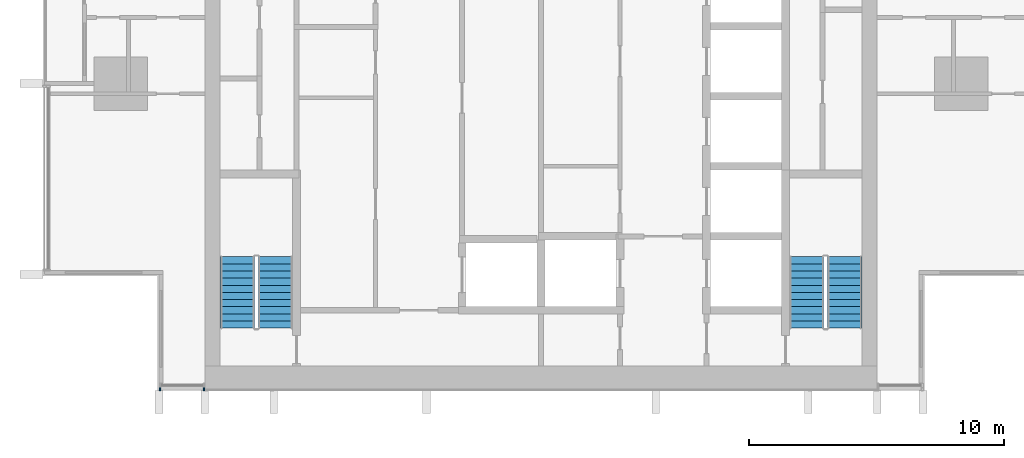
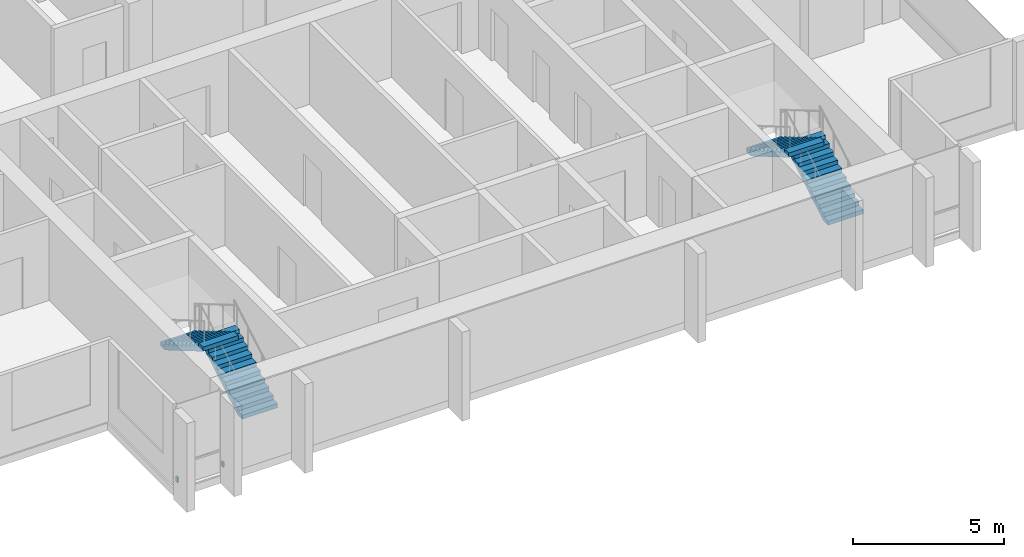
# One storey, part 11 of 16: 4 stair flights, 2 discrete accessories, 2 elements without a shape of their own.
"""IFC4 building model written with IfcOpenShell, lengths in metres."""

from ifc_helpers import new_model, si_unit, direction, frame, origin, origin_2d, place, context, subcontext, project, spatial, polyline, rectangle, outline, extrude, material, type_object, element, aggregate, save


model = new_model("IFC4")

# Units and contexts
model_context = context("Model", 3, precision=1e-05, world=origin(), true_north=direction((0.0, 1.0)))
body_context = subcontext(model_context, "Body", "Model", "MODEL_VIEW")
ifc_project = project(units=[si_unit("LENGTHUNIT", "METRE"), si_unit("AREAUNIT", "SQUARE_METRE"), si_unit("VOLUMEUNIT", "CUBIC_METRE"), si_unit("PLANEANGLEUNIT", "RADIAN"), si_unit("MASSUNIT", "GRAM", prefix="KILO")], contexts=[model_context])

# Site, building, storey
site_placement = place(None, origin())
site = spatial("IfcSite", under=ifc_project, at=site_placement, CompositionType="ELEMENT")
building_placement = place(site_placement, origin())
building = spatial("IfcBuilding", under=site, at=building_placement, Name="Finial Court Residences", CompositionType="ELEMENT")
storey_placement = place(building_placement, frame((0.0, 0.0, 230.300048828125)))
storey = spatial("IfcBuildingStorey", under=building, at=storey_placement, Name="L58", CompositionType="ELEMENT", Elevation=230.300048828125)

# Stair, stair flights
ifc_material_1 = material(Name="Concrete C50/60", Category="concrete")
stair_type = type_object("IfcStairType", Name="Exit stair 22 risers of 163.6 mm", PredefinedType="HALF_TURN_STAIR", material=ifc_material_1)
stair_1_placement = place(storey_placement, origin())
stair_1 = element("IfcStair", 1, at=stair_1_placement, inside=storey, type_object=stair_type, Name="L58 Exit stair ST-1", PredefinedType="HALF_TURN_STAIR")
stair_flight_type = type_object("IfcStairFlightType", Name="Exit stair flight", PredefinedType="STRAIGHT", material=ifc_material_1)
stair_flight_1_placement = place(storey_placement, frame((-10.425048828125, -23.10009765625, 0.0), z_axis=(0.0, 0.0, 1.0), x_axis=(0.0, 1.0, 0.0)))
stair_flight_1 = element("IfcStairFlight", 2, at=stair_flight_1_placement, type_object=stair_flight_type, Name="ST-1 flight 1", NumberOfRisers=11, NumberOfTreads=10, PredefinedType="STRAIGHT", RiserHeight=0.163636364, TreadLength=0.28, context=body_context, shape_type="SweptSolid", body=[
    extrude(outline(polyline([(0.0, 0.0), (0.0, 0.16357421875), (0.280029296875, 0.16357421875), (0.280029296875, 0.327392578125), (0.56005859375, 0.327392578125), (0.56005859375, 0.490966796875), (0.840087890625, 0.490966796875), (0.840087890625, 0.654541015625), (1.1201171875, 0.654541015625), (1.1201171875, 0.818115234375), (1.39990234375, 0.818115234375), (1.39990234375, 0.98193359375), (1.679931640625, 0.98193359375), (1.679931640625, 1.1455078125), (1.9599609375, 1.1455078125), (1.9599609375, 1.30908203125), (2.239990234375, 1.30908203125), (2.239990234375, 1.47265625), (2.52001953125, 1.47265625), (2.52001953125, 1.636474609375), (2.800048828125, 1.636474609375), (2.800048828125, 1.800048828125), (2.800048828125, 1.462646484375), (0.297119140625, 0.0), (0.0, 0.0)])), frame((0.0, 0.675048828125, 0.0), z_axis=(0.0, -1.0, 0.0), x_axis=(1.0, 0.0, 0.0)), (0.0, 0.0, 1.0), 1.35009765625),
])
stair_flight_2_placement = place(storey_placement, frame((-11.925048828125, -20.300048828125, 1.800048828125), z_axis=(0.0, 0.0, 1.0), x_axis=(0.0, -1.0, 0.0)))
stair_flight_2 = element("IfcStairFlight", 3, at=stair_flight_2_placement, type_object=stair_flight_type, Name="ST-1 flight 2", NumberOfRisers=11, NumberOfTreads=10, PredefinedType="STRAIGHT", RiserHeight=0.163636364, TreadLength=0.28, context=body_context, shape_type="SweptSolid", body=[
    extrude(outline(polyline([(0.0, 0.0), (0.0, 0.16357421875), (0.280029296875, 0.16357421875), (0.280029296875, 0.327392578125), (0.56005859375, 0.327392578125), (0.56005859375, 0.490966796875), (0.840087890625, 0.490966796875), (0.840087890625, 0.654541015625), (1.1201171875, 0.654541015625), (1.1201171875, 0.818115234375), (1.39990234375, 0.818115234375), (1.39990234375, 0.98193359375), (1.679931640625, 0.98193359375), (1.679931640625, 1.1455078125), (1.9599609375, 1.1455078125), (1.9599609375, 1.30908203125), (2.239990234375, 1.30908203125), (2.239990234375, 1.47265625), (2.52001953125, 1.47265625), (2.52001953125, 1.636474609375), (2.800048828125, 1.636474609375), (2.800048828125, 1.800048828125), (2.800048828125, 1.462646484375), (0.297119140625, 0.0), (0.0, 0.0)])), frame((0.0, 0.675048828125, 0.0), z_axis=(0.0, -1.0, 0.0), x_axis=(1.0, 0.0, 0.0)), (0.0, 0.0, 1.0), 1.35009765625),
])
aggregate(stair_1, [stair_flight_1, stair_flight_2])

stair_2_placement = place(storey_placement, origin())
stair_2 = element("IfcStair", 4, at=stair_2_placement, inside=storey, type_object=stair_type, Name="L58 Exit stair ST-2", PredefinedType="HALF_TURN_STAIR")
stair_flight_3_placement = place(storey_placement, frame((11.925048828125, -23.10009765625, 0.0), z_axis=(0.0, 0.0, 1.0), x_axis=(0.0, 1.0, 0.0)))
stair_flight_3 = element("IfcStairFlight", 5, at=stair_flight_3_placement, type_object=stair_flight_type, Name="ST-2 flight 1", NumberOfRisers=11, NumberOfTreads=10, PredefinedType="STRAIGHT", RiserHeight=0.163636364, TreadLength=0.28, context=body_context, shape_type="SweptSolid", body=[
    extrude(outline(polyline([(0.0, 0.0), (0.0, 0.16357421875), (0.280029296875, 0.16357421875), (0.280029296875, 0.327392578125), (0.56005859375, 0.327392578125), (0.56005859375, 0.490966796875), (0.840087890625, 0.490966796875), (0.840087890625, 0.654541015625), (1.1201171875, 0.654541015625), (1.1201171875, 0.818115234375), (1.39990234375, 0.818115234375), (1.39990234375, 0.98193359375), (1.679931640625, 0.98193359375), (1.679931640625, 1.1455078125), (1.9599609375, 1.1455078125), (1.9599609375, 1.30908203125), (2.239990234375, 1.30908203125), (2.239990234375, 1.47265625), (2.52001953125, 1.47265625), (2.52001953125, 1.636474609375), (2.800048828125, 1.636474609375), (2.800048828125, 1.800048828125), (2.800048828125, 1.462646484375), (0.297119140625, 0.0), (0.0, 0.0)])), frame((0.0, 0.675048828125, 0.0), z_axis=(0.0, -1.0, 0.0), x_axis=(1.0, 0.0, 0.0)), (0.0, 0.0, 1.0), 1.35009765625),
])
stair_flight_4_placement = place(storey_placement, frame((10.425048828125, -20.300048828125, 1.800048828125), z_axis=(0.0, 0.0, 1.0), x_axis=(0.0, -1.0, 0.0)))
stair_flight_4 = element("IfcStairFlight", 6, at=stair_flight_4_placement, type_object=stair_flight_type, Name="ST-2 flight 2", NumberOfRisers=11, NumberOfTreads=10, PredefinedType="STRAIGHT", RiserHeight=0.163636364, TreadLength=0.28, context=body_context, shape_type="SweptSolid", body=[
    extrude(outline(polyline([(0.0, 0.0), (0.0, 0.16357421875), (0.280029296875, 0.16357421875), (0.280029296875, 0.327392578125), (0.56005859375, 0.327392578125), (0.56005859375, 0.490966796875), (0.840087890625, 0.490966796875), (0.840087890625, 0.654541015625), (1.1201171875, 0.654541015625), (1.1201171875, 0.818115234375), (1.39990234375, 0.818115234375), (1.39990234375, 0.98193359375), (1.679931640625, 0.98193359375), (1.679931640625, 1.1455078125), (1.9599609375, 1.1455078125), (1.9599609375, 1.30908203125), (2.239990234375, 1.30908203125), (2.239990234375, 1.47265625), (2.52001953125, 1.47265625), (2.52001953125, 1.636474609375), (2.800048828125, 1.636474609375), (2.800048828125, 1.800048828125), (2.800048828125, 1.462646484375), (0.297119140625, 0.0), (0.0, 0.0)])), frame((0.0, 0.675048828125, 0.0), z_axis=(0.0, -1.0, 0.0), x_axis=(1.0, 0.0, 0.0)), (0.0, 0.0, 1.0), 1.35009765625),
])
aggregate(stair_2, [stair_flight_3, stair_flight_4])

# Discrete accessories
ifc_material_2 = material(Name="Stainless steel 316", Category="steel")
discrete_accessory_type = type_object("IfcDiscreteAccessoryType", Name="Fin bracket, stainless steel 60 x 122 x 200", PredefinedType="BRACKET", material=ifc_material_2)
for number, where, z_axis, x_axis, name in (
    (7, (-14.969970703125, -25.498779296875, 0.2998046875), (0.0, 0.0, 1.0), (1.0, 0.0, 0.0), "E-L58-FIN-S13-BRK"),
    (8, (-13.22998046875, -25.498779296875, 0.2998046875), (0.0, 0.0, 1.0), (1.0, 0.0, 0.0), "E-L58-FIN-S14-BRK"),
):
    element("IfcDiscreteAccessory", number, at=place(storey_placement, frame(where, z_axis=z_axis, x_axis=x_axis)), inside=storey, type_object=discrete_accessory_type, Name=name, PredefinedType="BRACKET", context=body_context, shape_type="SweptSolid", body=[
        extrude(rectangle(XDim=0.06005859375, YDim=0.12255859375, at=origin_2d()), origin(), (0.0, 0.0, 1.0), 0.199951171875),
    ])

save(model, "model.ifc")
